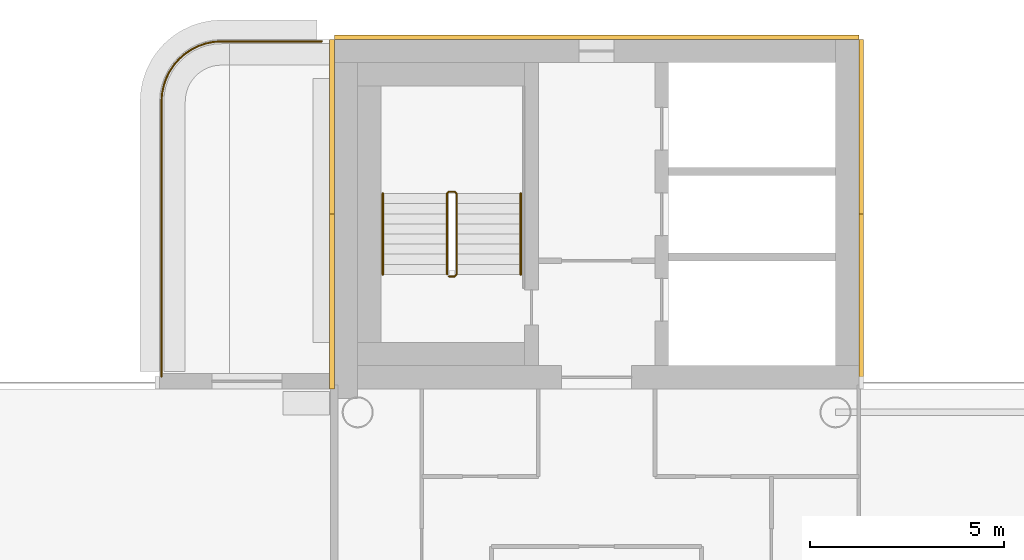
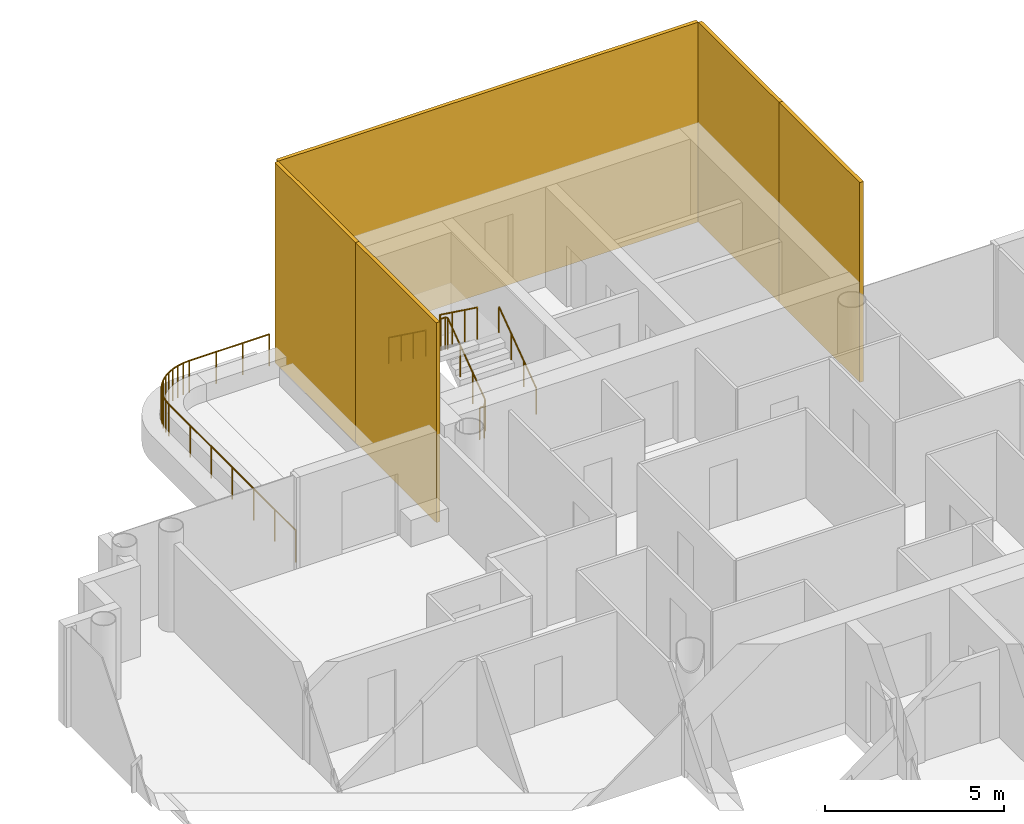
# One storey, part 17 of 18: 5 coverings, 4 railings.
"""IFC4 building model written with IfcOpenShell, lengths in metres."""

from ifc_helpers import new_model, si_unit, direction, frame, origin, origin_2d, place, context, subcontext, project, spatial, rectangle, circle, extrude, material, layer, layer_set, type_object, element, save


model = new_model("IFC4")

# Units and contexts
model_context = context("Model", 3, precision=1e-05, world=origin(), true_north=direction((0.0, 1.0)))
body_context = subcontext(model_context, "Body", "Model", "MODEL_VIEW")
ifc_project = project(units=[si_unit("LENGTHUNIT", "METRE"), si_unit("AREAUNIT", "SQUARE_METRE"), si_unit("VOLUMEUNIT", "CUBIC_METRE"), si_unit("PLANEANGLEUNIT", "RADIAN"), si_unit("MASSUNIT", "GRAM", prefix="KILO")], contexts=[model_context])

# Site, building, storey
site_placement = place(None, origin())
site = spatial("IfcSite", under=ifc_project, at=site_placement, CompositionType="ELEMENT")
building_placement = place(site_placement, origin())
building = spatial("IfcBuilding", under=site, at=building_placement, Name="Ipe Terrace Towers", CompositionType="ELEMENT")
storey_placement = place(building_placement, frame((0.0, 0.0, 226.60009765625)))
storey = spatial("IfcBuildingStorey", under=building, at=storey_placement, Name="L63", CompositionType="ELEMENT", Elevation=226.60009765625)

# Railing
ifc_material_1 = material(Name="Stainless steel S316", Category="steel")
railing_type_1 = type_object("IfcRailingType", Name="GUARD 1100", PredefinedType="BALUSTRADE", material=ifc_material_1)
railing_1_placement = place(storey_placement, frame((28.929931640625, 15.699951171875, -0.02001953125)))
element("IfcRailing", 1, at=railing_1_placement, inside=storey, type_object=railing_type_1, Name="guard", PredefinedType="BALUSTRADE", context=body_context, shape_type="SweptSolid", body=[
    extrude(circle(Radius=0.02392578125, at=origin_2d()), frame((0.0, 0.0, 1.076171875), z_axis=(-1.0, 0.0, 0.0), x_axis=(0.0, -1.0, 0.0)), (0.0, 0.0, 1.0), 2.577880859375),
    extrude(circle(Radius=0.02392578125, at=origin_2d()), frame((-2.577880859375, 0.0, 1.076171875), z_axis=(-0.997996439513, -0.063270109204, 0.0), x_axis=(0.063270109204, -0.997996439513, 0.0)), (0.0, 0.0, 1.0), 0.20458984375),
    extrude(circle(Radius=0.02392578125, at=origin_2d()), frame((-2.781982421875, -0.012939453125, 1.076171875), z_axis=(-0.980348670139, -0.197272615832, 0.0), x_axis=(0.197272615832, -0.980348670139, 0.0)), (0.0, 0.0, 1.0), 0.202880859375),
    extrude(circle(Radius=0.02392578125, at=origin_2d()), frame((-2.98095703125, -0.052978515625, 1.076171875), z_axis=(-0.947227229435, -0.320562904618, 0.0), x_axis=(0.320562904618, -0.947227229435, 0.0)), (0.0, 0.0, 1.0), 0.20263671875),
    extrude(circle(Radius=0.02392578125, at=origin_2d()), frame((-3.1728515625, -0.117919921875, 1.076171875), z_axis=(-0.896341374877, -0.443364567466, 0.0), x_axis=(0.443364567466, -0.896341374877, 0.0)), (0.0, 0.0, 1.0), 0.203125),
    extrude(circle(Radius=0.02392578125, at=origin_2d()), frame((-3.35498046875, -0.2080078125, 1.076171875), z_axis=(-0.833344910936, -0.552753344103, 0.0), x_axis=(0.552753344103, -0.833344910936, 0.0)), (0.0, 0.0, 1.0), 0.20263671875),
    extrude(circle(Radius=0.02392578125, at=origin_2d()), frame((-3.52392578125, -0.320068359375, 1.076171875), z_axis=(-0.750856952854, -0.660464863827, 0.0), x_axis=(0.660464863827, -0.750856952854, 0.0)), (0.0, 0.0, 1.0), 0.20263671875),
    extrude(circle(Radius=0.02392578125, at=origin_2d()), frame((-3.676025390625, -0.453857421875, 1.076171875), z_axis=(-0.660464863827, -0.750856952854, 0.0), x_axis=(0.750856952854, -0.660464863827, 0.0)), (0.0, 0.0, 1.0), 0.20263671875),
    extrude(circle(Radius=0.02392578125, at=origin_2d()), frame((-3.809814453125, -0.60595703125, 1.076171875), z_axis=(-0.552753344103, -0.833344910936, 0.0), x_axis=(0.833344910936, -0.552753344103, 0.0)), (0.0, 0.0, 1.0), 0.20263671875),
    extrude(circle(Radius=0.02392578125, at=origin_2d()), frame((-3.921875, -0.77490234375, 1.076171875), z_axis=(-0.443364567466, -0.896341374877, 0.0), x_axis=(0.896341374877, -0.443364567466, 0.0)), (0.0, 0.0, 1.0), 0.203125),
    extrude(circle(Radius=0.02392578125, at=origin_2d()), frame((-4.011962890625, -0.95703125, 1.076171875), z_axis=(-0.320562904618, -0.947227229435, 0.0), x_axis=(0.947227229435, -0.320562904618, 0.0)), (0.0, 0.0, 1.0), 0.20263671875),
    extrude(circle(Radius=0.02392578125, at=origin_2d()), frame((-4.076904296875, -1.14892578125, 1.076171875), z_axis=(-0.197272615832, -0.980348670139, 0.0), x_axis=(0.980348670139, -0.197272615832, 0.0)), (0.0, 0.0, 1.0), 0.202880859375),
    extrude(circle(Radius=0.02392578125, at=origin_2d()), frame((-4.116943359375, -1.347900390625, 1.076171875), z_axis=(-0.063270109204, -0.997996439513, 0.0), x_axis=(0.997996439513, -0.063270109204, 0.0)), (0.0, 0.0, 1.0), 0.20458984375),
    extrude(circle(Radius=0.02392578125, at=origin_2d()), frame((-4.1298828125, -1.552001953125, 1.076171875), z_axis=(0.0, -1.0, 0.0), x_axis=(1.0, 0.0, 0.0)), (0.0, 0.0, 1.0), 7.077880859375),
    extrude(circle(Radius=0.02099609375, at=origin_2d()), origin(), (0.0, 0.0, 1.0), 1.052001953125),
    extrude(circle(Radius=0.02099609375, at=origin_2d()), frame((-0.859375, 0.0, 0.0)), (0.0, 0.0, 1.0), 1.052001953125),
    extrude(circle(Radius=0.02099609375, at=origin_2d()), frame((-1.718505859375, 0.0, 0.0)), (0.0, 0.0, 1.0), 1.052001953125),
    extrude(circle(Radius=0.02099609375, at=origin_2d()), frame((-2.577880859375, 0.0, 0.0)), (0.0, 0.0, 1.0), 1.052001953125),
    extrude(circle(Radius=0.02099609375, at=origin_2d()), frame((-2.781982421875, -0.012939453125, 0.0)), (0.0, 0.0, 1.0), 1.052001953125),
    extrude(circle(Radius=0.02099609375, at=origin_2d()), frame((-2.98095703125, -0.052978515625, 0.0)), (0.0, 0.0, 1.0), 1.052001953125),
    extrude(circle(Radius=0.02099609375, at=origin_2d()), frame((-3.1728515625, -0.117919921875, 0.0)), (0.0, 0.0, 1.0), 1.052001953125),
    extrude(circle(Radius=0.02099609375, at=origin_2d()), frame((-3.35498046875, -0.2080078125, 0.0)), (0.0, 0.0, 1.0), 1.052001953125),
    extrude(circle(Radius=0.02099609375, at=origin_2d()), frame((-3.52392578125, -0.320068359375, 0.0)), (0.0, 0.0, 1.0), 1.052001953125),
    extrude(circle(Radius=0.02099609375, at=origin_2d()), frame((-3.676025390625, -0.453857421875, 0.0)), (0.0, 0.0, 1.0), 1.052001953125),
    extrude(circle(Radius=0.02099609375, at=origin_2d()), frame((-3.809814453125, -0.60595703125, 0.0)), (0.0, 0.0, 1.0), 1.052001953125),
    extrude(circle(Radius=0.02099609375, at=origin_2d()), frame((-3.921875, -0.77490234375, 0.0)), (0.0, 0.0, 1.0), 1.052001953125),
    extrude(circle(Radius=0.02099609375, at=origin_2d()), frame((-4.011962890625, -0.95703125, 0.0)), (0.0, 0.0, 1.0), 1.052001953125),
    extrude(circle(Radius=0.02099609375, at=origin_2d()), frame((-4.076904296875, -1.14892578125, 0.0)), (0.0, 0.0, 1.0), 1.052001953125),
    extrude(circle(Radius=0.02099609375, at=origin_2d()), frame((-4.116943359375, -1.347900390625, 0.0)), (0.0, 0.0, 1.0), 1.052001953125),
    extrude(circle(Radius=0.02099609375, at=origin_2d()), frame((-4.1298828125, -1.552001953125, 0.0)), (0.0, 0.0, 1.0), 1.052001953125),
    extrude(circle(Radius=0.02099609375, at=origin_2d()), frame((-4.1298828125, -2.731689453125, 0.0)), (0.0, 0.0, 1.0), 1.052001953125),
    extrude(circle(Radius=0.02099609375, at=origin_2d()), frame((-4.1298828125, -3.911376953125, 0.0)), (0.0, 0.0, 1.0), 1.052001953125),
    extrude(circle(Radius=0.02099609375, at=origin_2d()), frame((-4.1298828125, -5.0908203125, 0.0)), (0.0, 0.0, 1.0), 1.052001953125),
    extrude(circle(Radius=0.02099609375, at=origin_2d()), frame((-4.1298828125, -6.2705078125, 0.0)), (0.0, 0.0, 1.0), 1.052001953125),
    extrude(circle(Radius=0.02099609375, at=origin_2d()), frame((-4.1298828125, -7.4501953125, 0.0)), (0.0, 0.0, 1.0), 1.052001953125),
    extrude(circle(Radius=0.02099609375, at=origin_2d()), frame((-4.1298828125, -8.6298828125, 0.0)), (0.0, 0.0, 1.0), 1.052001953125),
])

# Coverings
ifc_material_2 = material(Name="Concrete C50/60 precast, buff finish", Category="concrete")
ifc_layer = layer(ifc_material_2, 0.1201171875)
ifc_layer_set = layer_set([ifc_layer], Name="STONE CORE CLADDING 120")
covering_type = type_object("IfcCoveringType", Name="STONE CORE CLADDING 120", PredefinedType="CLADDING", material=ifc_layer_set)
for number, where, z_axis, x_axis, name in (
    (2, (29.18994140625, 9.0, 0.0), (0.0, 0.0, 1.0), (0.0, -1.0, 0.0), "stone core cladding"),
    (3, (29.18994140625, 13.5, 0.0), (0.0, 0.0, 1.0), (0.0, -1.0, 0.0), "stone core cladding"),
    (4, (42.81005859375, 9.0, 0.0), (0.0, 0.0, 1.0), (0.0, 1.0, 0.0), "stone core cladding"),
    (5, (42.81005859375, 13.5, 0.0), (0.0, 0.0, 1.0), (0.0, 1.0, 0.0), "stone core cladding"),
):
    element("IfcCovering", number, at=place(storey_placement, frame(where, z_axis=z_axis, x_axis=x_axis)), inside=storey, type_object=covering_type, Name=name, PredefinedType="CLADDING", context=body_context, shape_type="SweptSolid", body=[
        extrude(rectangle(XDim=4.5, YDim=0.1201171875, at=origin_2d()), origin(), (0.0, 0.0, 1.0), 6.800048828125),
    ])
covering_placement = place(storey_placement, frame((36.0, 15.81005859375, 0.0), z_axis=(0.0, 0.0, 1.0), x_axis=(-1.0, 0.0, 0.0)))
element("IfcCovering", 6, at=covering_placement, inside=storey, type_object=covering_type, Name="stone core cladding", PredefinedType="CLADDING", context=body_context, shape_type="SweptSolid", body=[
    extrude(rectangle(XDim=13.5, YDim=0.1201171875, at=origin_2d()), origin(), (0.0, 0.0, 1.0), 6.800048828125),
])

# Railings
ifc_material_3 = material(Name="Steel S355", Category="steel")
railing_type_2 = type_object("IfcRailingType", Name="Stair guard 1100", PredefinedType="GUARDRAIL", material=ifc_material_3)
railing_2_placement = place(storey_placement, frame((32.199951171875, 9.64990234375, 0.0)))
element("IfcRailing", 7, at=railing_2_placement, inside=storey, type_object=railing_type_2, Name="L63 T2-ST1 stair guard 1", PredefinedType="GUARDRAIL", context=body_context, shape_type="SweptSolid", body=[
    extrude(circle(Radius=0.02392578125, at=origin_2d()), frame((0.0, 0.0, 1.076171875), z_axis=(1.0, 0.0, 0.0), x_axis=(0.0, 1.0, 0.0)), (0.0, 0.0, 1.0), 0.150146484375),
    extrude(circle(Radius=0.02392578125, at=origin_2d()), frame((0.150146484375, 0.0, 1.076171875), z_axis=(0.247173786771, 0.248385422981, 0.936594790069), x_axis=(-0.708833529934, 0.705375805398, 0.0)), (0.0, 0.0, 1.0), 0.201416015625),
    extrude(circle(Radius=0.02392578125, at=origin_2d()), frame((0.199951171875, 0.050048828125, 1.2646484375), z_axis=(0.0, 0.809023421508, 0.587776406001), x_axis=(-1.0, 0.0, 0.0)), (0.0, 0.0, 1.0), 2.571044921875),
    extrude(circle(Radius=0.02392578125, at=origin_2d()), frame((0.199951171875, 2.130126953125, 2.77587890625), z_axis=(-0.705375805398, 0.708833529934, 0.0), x_axis=(-0.708833529934, -0.705375805398, 0.0)), (0.0, 0.0, 1.0), 0.070556640625),
    extrude(circle(Radius=0.02392578125, at=origin_2d()), frame((0.150146484375, 2.18017578125, 2.77587890625), z_axis=(-1.0, 0.0, 0.0), x_axis=(0.0, -1.0, 0.0)), (0.0, 0.0, 1.0), 0.150146484375),
    extrude(circle(Radius=0.02392578125, at=origin_2d()), frame((0.0, 2.18017578125, 2.77587890625), z_axis=(-0.248310886586, -0.248310886586, 0.936313733321), x_axis=(0.707106781187, -0.707106781187, 0.0)), (0.0, 0.0, 1.0), 0.20166015625),
    extrude(circle(Radius=0.02392578125, at=origin_2d()), frame((-0.050048828125, 2.130126953125, 2.96484375), z_axis=(0.0, -0.809023421508, 0.587776406001), x_axis=(1.0, 0.0, 0.0)), (0.0, 0.0, 1.0), 2.571044921875),
    extrude(circle(Radius=0.02099609375, at=origin_2d()), origin(), (0.0, 0.0, 1.0), 1.052001953125),
    extrude(circle(Radius=0.02099609375, at=origin_2d()), frame((0.150146484375, 0.0, 0.0)), (0.0, 0.0, 1.0), 1.052001953125),
    extrude(circle(Radius=0.02099609375, at=origin_2d()), frame((0.199951171875, 0.050048828125, 0.188720703125)), (0.0, 0.0, 1.0), 1.052001953125),
    extrude(circle(Radius=0.02099609375, at=origin_2d()), frame((0.199951171875, 0.743408203125, 0.6923828125)), (0.0, 0.0, 1.0), 1.052001953125),
    extrude(circle(Radius=0.02099609375, at=origin_2d()), frame((0.199951171875, 1.436767578125, 1.1962890625)), (0.0, 0.0, 1.0), 1.052001953125),
    extrude(circle(Radius=0.02099609375, at=origin_2d()), frame((0.199951171875, 2.130126953125, 1.699951171875)), (0.0, 0.0, 1.0), 1.052001953125),
    extrude(circle(Radius=0.02099609375, at=origin_2d()), frame((0.150146484375, 2.18017578125, 1.699951171875)), (0.0, 0.0, 1.0), 1.052001953125),
    extrude(circle(Radius=0.02099609375, at=origin_2d()), frame((0.0, 2.18017578125, 1.699951171875)), (0.0, 0.0, 1.0), 1.052001953125),
    extrude(circle(Radius=0.02099609375, at=origin_2d()), frame((-0.050048828125, 2.130126953125, 1.888671875)), (0.0, 0.0, 1.0), 1.052001953125),
    extrude(circle(Radius=0.02099609375, at=origin_2d()), frame((-0.050048828125, 1.436767578125, 2.392333984375)), (0.0, 0.0, 1.0), 1.052001953125),
    extrude(circle(Radius=0.02099609375, at=origin_2d()), frame((-0.050048828125, 0.743408203125, 2.896240234375)), (0.0, 0.0, 1.0), 1.052001953125),
    extrude(circle(Radius=0.02099609375, at=origin_2d()), frame((-0.050048828125, 0.050048828125, 3.39990234375)), (0.0, 0.0, 1.0), 1.052001953125),
])
ifc_material_4 = material(Name="Stainless steel grade 304", Category="steel")
railing_type_3 = type_object("IfcRailingType", Name="Stair handrail 900", PredefinedType="HANDRAIL", material=ifc_material_4)
railing_3_placement = place(storey_placement, frame((34.050048828125, 9.699951171875, 0.188720703125)))
element("IfcRailing", 8, at=railing_3_placement, inside=storey, type_object=railing_type_3, Name="L63 T2-ST1 stair handrail 1", PredefinedType="HANDRAIL", context=body_context, shape_type="SweptSolid", body=[
    extrude(circle(Radius=0.02392578125, at=origin_2d()), frame((0.0, 0.0, 0.8759765625), z_axis=(0.0, 0.809023421508, 0.587776406001), x_axis=(-1.0, 0.0, 0.0)), (0.0, 0.0, 1.0), 2.571044921875),
    extrude(circle(Radius=0.02099609375, at=origin_2d()), origin(), (0.0, 0.0, 1.0), 0.851806640625),
    extrude(circle(Radius=0.02099609375, at=origin_2d()), frame((0.0, 0.693359375, 0.503662109375)), (0.0, 0.0, 1.0), 0.851806640625),
    extrude(circle(Radius=0.02099609375, at=origin_2d()), frame((0.0, 1.38671875, 1.007568359375)), (0.0, 0.0, 1.0), 0.851806640625),
    extrude(circle(Radius=0.02099609375, at=origin_2d()), frame((0.0, 2.080078125, 1.51123046875)), (0.0, 0.0, 1.0), 0.851806640625),
])
railing_4_placement = place(storey_placement, frame((30.5, 11.780029296875, 1.888671875)))
element("IfcRailing", 9, at=railing_4_placement, inside=storey, type_object=railing_type_3, Name="L63 T2-ST1 stair handrail 2", PredefinedType="HANDRAIL", context=body_context, shape_type="SweptSolid", body=[
    extrude(circle(Radius=0.02392578125, at=origin_2d()), frame((0.0, 0.0, 0.8759765625), z_axis=(0.0, -0.809023421508, 0.587776406001), x_axis=(1.0, 0.0, 0.0)), (0.0, 0.0, 1.0), 2.571044921875),
    extrude(circle(Radius=0.02099609375, at=origin_2d()), origin(), (0.0, 0.0, 1.0), 0.851806640625),
    extrude(circle(Radius=0.02099609375, at=origin_2d()), frame((0.0, -0.693359375, 0.503662109375)), (0.0, 0.0, 1.0), 0.851806640625),
    extrude(circle(Radius=0.02099609375, at=origin_2d()), frame((0.0, -1.38671875, 1.007568359375)), (0.0, 0.0, 1.0), 0.851806640625),
    extrude(circle(Radius=0.02099609375, at=origin_2d()), frame((0.0, -2.080078125, 1.51123046875)), (0.0, 0.0, 1.0), 0.851806640625),
])

save(model, "model.ifc")
